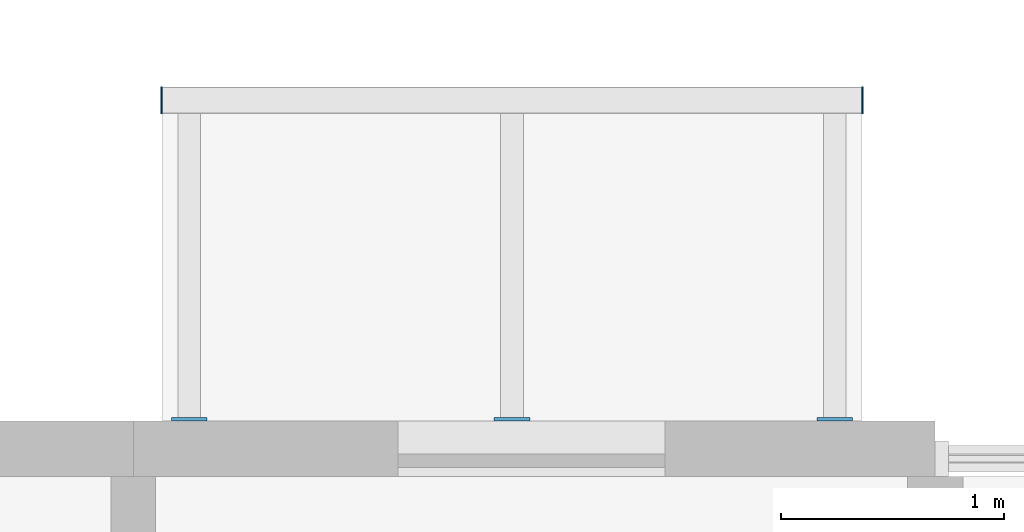
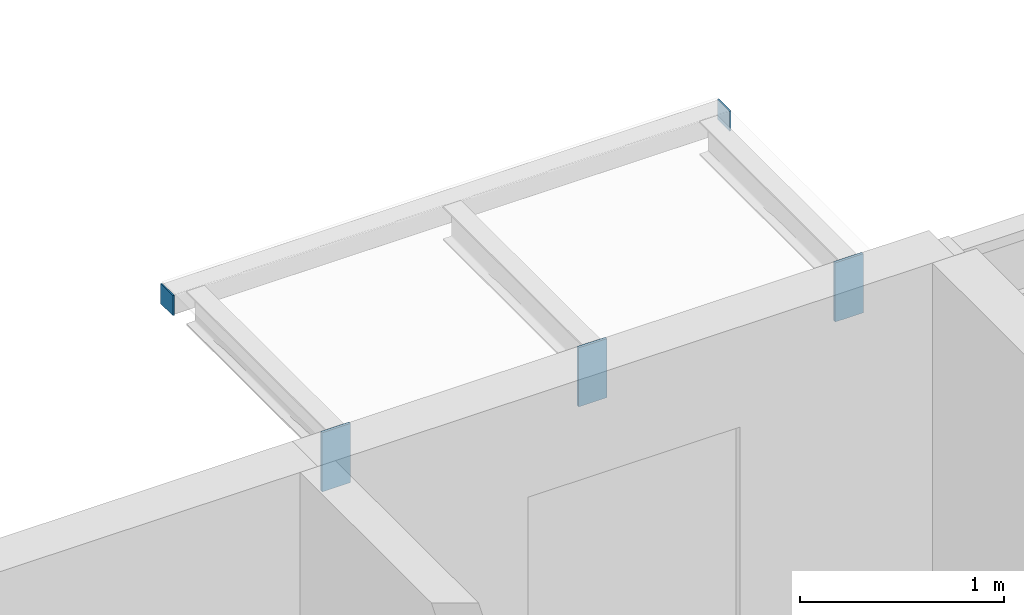
# One storey, part 89 of 115: 5 discrete accessories.
"""IFC4 building model written with IfcOpenShell, lengths in metres."""

from ifc_helpers import new_model, si_unit, direction, frame, origin, origin_2d, place, context, subcontext, project, spatial, rectangle, extrude, material, layer, layer_set, type_object, element, save


model = new_model("IFC4")

# Units and contexts
model_context = context("Model", 3, precision=1e-05, world=origin(), true_north=direction((0.0, 1.0)))
body_context = subcontext(model_context, "Body", "Model", "MODEL_VIEW")
ifc_project = project(units=[si_unit("LENGTHUNIT", "METRE"), si_unit("AREAUNIT", "SQUARE_METRE"), si_unit("VOLUMEUNIT", "CUBIC_METRE"), si_unit("PLANEANGLEUNIT", "RADIAN"), si_unit("MASSUNIT", "GRAM", prefix="KILO")], contexts=[model_context])

# Site, building, storey
site_placement = place(None, origin())
site = spatial("IfcSite", under=ifc_project, at=site_placement, CompositionType="ELEMENT")
building_placement = place(site_placement, origin())
building = spatial("IfcBuilding", under=site, at=building_placement, Name="Ridgestep Commons", CompositionType="ELEMENT")
storey_placement = place(building_placement, frame((0.0, 0.0, 6.0)))
storey = spatial("IfcBuildingStorey", under=building, at=storey_placement, Name="L02", CompositionType="ELEMENT", Elevation=6.0)

# Discrete accessories
ifc_material_1 = material(Name="Weathering steel S355J2W", Category="steel")
ifc_layer_1 = layer(ifc_material_1, 0.014892578125)
ifc_layer_set_1 = layer_set([ifc_layer_1], Name="Tray bracket plate 15")
discrete_accessory_type_1 = type_object("IfcDiscreteAccessoryType", Name="Tray bracket plate 15", PredefinedType="BRACKET", material=ifc_layer_set_1)
for number, where, z_axis, x_axis, name in (
    (1, (171.050048828125, 77.257568359375, 2.63671875), (0.0, 0.0, 1.0), (1.0, 0.0, 0.0), "Tray bracket C2T3-03.1"),
    (2, (172.5, 77.257568359375, 2.63671875), (0.0, 0.0, 1.0), (1.0, 0.0, 0.0), "Tray bracket C2T3-03.2"),
    (3, (173.949951171875, 77.257568359375, 2.63671875), (0.0, 0.0, 1.0), (1.0, 0.0, 0.0), "Tray bracket C2T3-03.3"),
):
    element("IfcDiscreteAccessory", number, at=place(storey_placement, frame(where, z_axis=z_axis, x_axis=x_axis)), inside=storey, type_object=discrete_accessory_type_1, Name=name, PredefinedType="BRACKET", context=body_context, shape_type="SweptSolid", body=[
        extrude(rectangle(XDim=0.159912109375, YDim=0.014892578125, at=origin_2d()), origin(), (0.0, 0.0, 1.0), 0.353271484375),
    ])
ifc_material_2 = material(Name="Weathering steel S355J2W", Category="steel")
ifc_layer_2 = layer(ifc_material_2, 0.008056640625)
ifc_layer_set_2 = layer_set([ifc_layer_2], Name="Tray edge member end plate 120 x 120 x 8")
discrete_accessory_type_2 = type_object("IfcDiscreteAccessoryType", Name="Tray edge member end plate 120 x 120 x 8", PredefinedType="BRACKET", material=ifc_layer_set_2)
for number, where, z_axis, x_axis, name in (
    (4, (170.926025390625, 78.68994140625, 2.869873046875), (0.0, 0.0, 1.0), (1.0, 0.0, 0.0), "Tray edge member end plate C2T3-03 west"),
    (5, (174.073974609375, 78.68994140625, 2.869873046875), (0.0, 0.0, 1.0), (1.0, 0.0, 0.0), "Tray edge member end plate C2T3-03 east"),
):
    element("IfcDiscreteAccessory", number, at=place(storey_placement, frame(where, z_axis=z_axis, x_axis=x_axis)), inside=storey, type_object=discrete_accessory_type_2, Name=name, PredefinedType="BRACKET", context=body_context, shape_type="SweptSolid", body=[
        extrude(rectangle(XDim=0.008056640625, YDim=0.1201171875, at=origin_2d()), origin(), (0.0, 0.0, 1.0), 0.1201171875),
    ])

save(model, "model.ifc")
